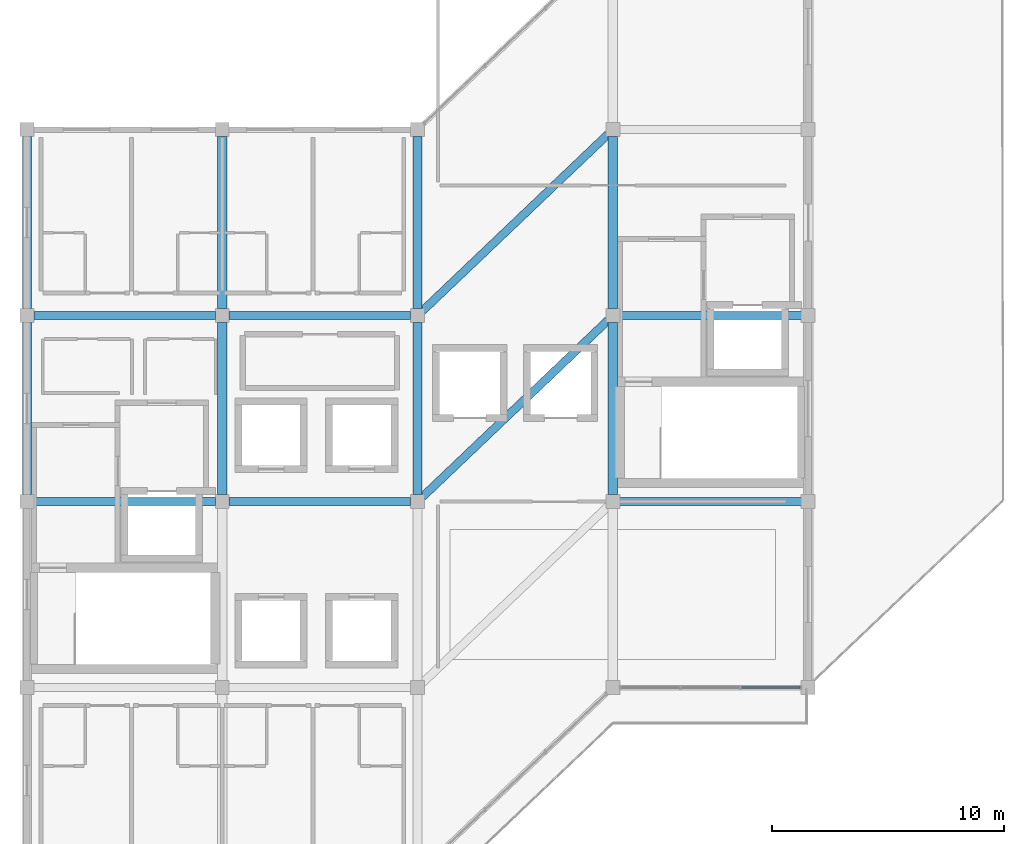
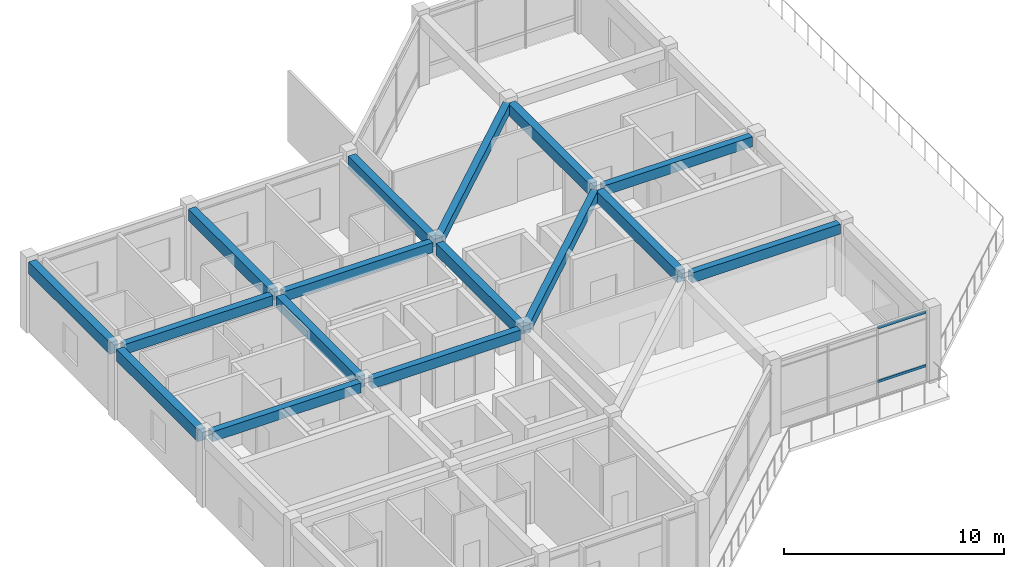
# One storey, part 3 of 11: 16 beams, 2 members, 1 element without a shape of its own.
"""IFC4 building model written with IfcOpenShell, lengths in metres."""

import ifcopenshell
import ifcopenshell.guid

model = None  # the IFC model being written
_history = None  # IfcOwnerHistory: only IFC2X3 demands one
_inside = {}  # id of a spatial element -> (the spatial element, [elements in it])
_under = {}  # id of a project, library or spatial element -> (it, [spatial elements below it])
_declared = {}  # id of a project -> (the project, [libraries it declares])
_typed = {}  # id of a type object -> (the type object, [elements of that type])
_made_of = {}  # id of a material, layer set ... -> (it, [elements and type objects made of it])


def new_model(schema):
    """Start an empty IFC model of exactly this schema.

    Asked for "IFC4X3", IfcOpenShell would pick the latest addendum, in which some entities
    have other attributes; the version numbers below select the first issue.
    IFC2X3 requires an IfcOwnerHistory on every rooted entity: one is made here for all.
    """
    global model, _history
    if schema == "IFC4X3":
        model = ifcopenshell.file(schema_version=(4, 3, 0, 0))
    else:
        model = ifcopenshell.file(schema=schema)
    _inside.clear()
    _under.clear()
    _declared.clear()
    _typed.clear()
    _made_of.clear()
    _history = None
    if model.schema == "IFC2X3":
        org = make("IfcOrganization", Name="unknown")
        user = make(
            "IfcPersonAndOrganization",
            ThePerson=make("IfcPerson", FamilyName="unknown"),
            TheOrganization=org,
        )
        app = make(
            "IfcApplication",
            ApplicationDeveloper=org,
            Version="unknown",
            ApplicationFullName="unknown",
            ApplicationIdentifier="unknown",
        )
        _history = make(
            "IfcOwnerHistory",
            OwningUser=user,
            OwningApplication=app,
            ChangeAction="ADDED",
            CreationDate=0,
        )
    return model


def make(cls, **values):
    """One entity of the class cls with the attributes given. An attribute that is None is left unset."""
    return model.create_entity(
        cls, **{name: value for name, value in values.items() if value is not None}
    )


def rooted(cls, **values):
    """An entity with a GlobalId (a new one), such as an element, a storey or a relation."""
    return make(cls, GlobalId=ifcopenshell.guid.new(), OwnerHistory=_history, **values)


def si_unit(unit_type, name, prefix=None):
    """IfcSIUnit, for example si_unit("LENGTHUNIT", "METRE", prefix="MILLI")."""
    return make("IfcSIUnit", UnitType=unit_type, Prefix=prefix, Name=name)


def assignment(units):
    """IfcUnitAssignment: the units of a project."""
    return None if units is None else make("IfcUnitAssignment", Units=units)


def point(xyz):
    """IfcCartesianPoint."""
    return None if xyz is None else make("IfcCartesianPoint", Coordinates=xyz)


def direction(xyz):
    """IfcDirection."""
    return None if xyz is None else make("IfcDirection", DirectionRatios=xyz)


def frame(location, z_axis=None, x_axis=None):
    """IfcAxis2Placement3D, a coordinate frame: its origin and axes. An axis left out is left unset."""
    return make(
        "IfcAxis2Placement3D",
        Location=point(location),
        Axis=direction(z_axis),
        RefDirection=direction(x_axis),
    )


def frame_2d(location, x_axis=None):
    """IfcAxis2Placement2D, a coordinate frame in the plane: its origin and x axis."""
    return make(
        "IfcAxis2Placement2D", Location=point(location), RefDirection=direction(x_axis)
    )


def origin():
    """The frame at (0, 0, 0) with its axes left unset."""
    return frame((0.0, 0.0, 0.0))


def origin_2d():
    """The frame at (0, 0) in the plane with its x axis left unset."""
    return frame_2d((0.0, 0.0))


def place(relative_to, where):
    """IfcLocalPlacement: puts the frame where relative to a parent placement (None: the world)."""
    return make(
        "IfcLocalPlacement", PlacementRelTo=relative_to, RelativePlacement=where
    )


def context(
    kind, dimensions, precision=None, world=None, true_north=None, identifier=None
):
    """IfcGeometricRepresentationContext, for example the 3D "Model" context."""
    return make(
        "IfcGeometricRepresentationContext",
        ContextIdentifier=identifier,
        ContextType=kind,
        CoordinateSpaceDimension=dimensions,
        Precision=precision,
        WorldCoordinateSystem=world,
        TrueNorth=true_north,
    )


def subcontext(parent, identifier, kind, view, scale=None):
    """IfcGeometricRepresentationSubContext, for example "Body" below "Model"."""
    return make(
        "IfcGeometricRepresentationSubContext",
        ContextIdentifier=identifier,
        ContextType=kind,
        ParentContext=parent,
        TargetScale=scale,
        TargetView=view,
    )


def project(units=None, contexts=None):
    """IfcProject with its units and contexts."""
    return rooted(
        "IfcProject",
        Name="project",
        RepresentationContexts=contexts,
        UnitsInContext=assignment(units),
    )


def spatial(cls, under=None, at=None, **own):
    """A site, building, storey or space (cls), placed at a placement, below another one or the project."""
    s = rooted(cls, ObjectPlacement=at, **own)
    if under is not None:
        _under.setdefault(under.id(), (under, []))[1].append(s)
    return s


def profile(cls, at=None, kind="AREA", **sizes):
    """A parametric profile (cls). Its sizes go by their IFC names, for example OverallWidth=200.0."""
    return make(cls, ProfileType=kind, Position=at, **sizes)


def rectangle(**sizes):
    """IfcRectangleProfileDef."""
    return profile("IfcRectangleProfileDef", **sizes)


def extrude(swept, where, along, depth):
    """IfcExtrudedAreaSolid: the profile swept, set in the frame where, extruded along a direction by depth."""
    return make(
        "IfcExtrudedAreaSolid",
        SweptArea=swept,
        Position=where,
        ExtrudedDirection=direction(along),
        Depth=depth,
    )


def shape(context_of_items, identifier, shape_type, items):
    """IfcShapeRepresentation: the items that make up one representation, for example the "Body"."""
    return make(
        "IfcShapeRepresentation",
        ContextOfItems=context_of_items,
        RepresentationIdentifier=identifier,
        RepresentationType=shape_type,
        Items=items,
    )


def material(Name=None, Category=None):
    """IfcMaterial."""
    return make("IfcMaterial", Name=Name, Category=Category)


def layer(
    of_material, thickness, ventilated=None, Name=None, Category=None, Priority=None
):
    """IfcMaterialLayer: one layer of a wall or slab, of a material (None: an air gap)."""
    return make(
        "IfcMaterialLayer",
        Material=of_material,
        LayerThickness=thickness,
        IsVentilated=ventilated,
        Name=Name,
        Category=Category,
        Priority=Priority,
    )


def layer_set(layers, Name=None):
    """IfcMaterialLayerSet."""
    return make("IfcMaterialLayerSet", MaterialLayers=layers, LayerSetName=Name)


def material_profile(
    of_material, cross_section, Name=None, Category=None, Priority=None
):
    """IfcMaterialProfile: a cross section and its material."""
    return make(
        "IfcMaterialProfile",
        Name=Name,
        Material=of_material,
        Profile=cross_section,
        Priority=Priority,
        Category=Category,
    )


def profile_set(profiles, Name=None, composite=None):
    """IfcMaterialProfileSet."""
    return make(
        "IfcMaterialProfileSet",
        Name=Name,
        MaterialProfiles=profiles,
        CompositeProfile=composite,
    )


def made_of(thing, what):
    """Note that an element or type object is made of a material, layer set ...; save() writes the relation."""
    if what is not None:
        _made_of.setdefault(what.id(), (what, []))[1].append(thing)
    return thing


def type_object(cls, material=None, **own):
    """A type object (cls), such as IfcWallType, which elements share."""
    return made_of(rooted(cls, **own), material)


def element(
    cls,
    number,
    at=None,
    inside=None,
    cuts=None,
    type_object=None,
    material=None,
    context=None,
    identifier="Body",
    shape_type=None,
    held_by="IfcProductDefinitionShape",
    body=None,
    shapes=None,
    **own,
):
    """One element of the class cls, such as IfcWall. Its Tag is "e" and its number.

    at: its placement. inside: the storey or other place that contains it. cuts: it is an
    opening in that element (IfcRelVoidsElement). A single representation is given by context,
    identifier, shape_type and body (its items); several are given by shapes. held_by: the class
    of the entity that holds the representations. save() writes the other relations.
    """
    e = rooted(cls, Tag="e%d" % number, ObjectPlacement=at, **own)
    if body is not None:
        shapes = [shape(context, identifier, shape_type, body)]
    if shapes is not None:
        e.Representation = make(held_by, Representations=shapes)
    if inside is not None:
        _inside.setdefault(inside.id(), (inside, []))[1].append(e)
    if cuts is not None:
        rooted(
            "IfcRelVoidsElement", RelatingBuildingElement=cuts, RelatedOpeningElement=e
        )
    if type_object is not None:
        _typed.setdefault(type_object.id(), (type_object, []))[1].append(e)
    return made_of(e, material)


def aggregate(whole, parts):
    """IfcRelAggregates: a whole, such as a stair, and the parts it consists of."""
    return rooted("IfcRelAggregates", RelatingObject=whole, RelatedObjects=parts)


def save(model, path):
    """Write the relations noted so far, then the file.

    IfcRelAggregates (storeys below a building ...), IfcRelContainedInSpatialStructure (elements
    in a storey), IfcRelDefinesByType, IfcRelAssociatesMaterial and IfcRelDeclares: one each for
    every whole, place, type object, material and project.
    """
    for whole, parts in _under.values():
        aggregate(whole, parts)
    for where, things in _inside.values():
        rooted(
            "IfcRelContainedInSpatialStructure",
            RelatedElements=things,
            RelatingStructure=where,
        )
    for kind, things in _typed.values():
        rooted("IfcRelDefinesByType", RelatedObjects=things, RelatingType=kind)
    for what, things in _made_of.values():
        rooted("IfcRelAssociatesMaterial", RelatedObjects=things, RelatingMaterial=what)
    for by, libraries in _declared.values():
        rooted("IfcRelDeclares", RelatingContext=by, RelatedDefinitions=libraries)
    model.write(path)


model = new_model("IFC4")

# Units and contexts
model_context = context("Model", 3, precision=1e-05, world=origin(), true_north=direction((0.0, 1.0)))
body_context = subcontext(model_context, "Body", "Model", "MODEL_VIEW")
ifc_project = project(units=[si_unit("LENGTHUNIT", "METRE"), si_unit("AREAUNIT", "SQUARE_METRE"), si_unit("VOLUMEUNIT", "CUBIC_METRE"), si_unit("PLANEANGLEUNIT", "RADIAN"), si_unit("MASSUNIT", "GRAM", prefix="KILO")], contexts=[model_context])

# Site, building, storey
site_placement = place(None, origin())
site = spatial("IfcSite", under=ifc_project, at=site_placement, CompositionType="ELEMENT")
building_placement = place(site_placement, origin())
building = spatial("IfcBuilding", under=site, at=building_placement, Name="Naruveol Harbour Congress Hotel", CompositionType="ELEMENT")
storey_placement = place(building_placement, frame((0.0, 0.0, 47.39990234375)))
storey = spatial("IfcBuildingStorey", under=building, at=storey_placement, Name="L11", CompositionType="ELEMENT", Elevation=47.39990234375)

# Beams
ifc_material_1 = material(Name="Concrete C40/50", Category="concrete")
ifc_material_profile_1 = material_profile(ifc_material_1, rectangle(XDim=0.39990234375, YDim=0.64990234375, at=origin_2d()), Name="RCB-400x650")
ifc_profile_set_1 = profile_set([ifc_material_profile_1], Name="Concrete C40/50")
beam_type_1 = type_object("IfcBeamType", Name="RC HOTEL BEAM 400X650", PredefinedType="BEAM", material=ifc_profile_set_1)
for number, where, z_axis, x_axis, name in (
    (1, (126.0, 16.2958984375, 3.614990234375), (0.0, 1.0, 0.0), (-1.0, 0.0, 0.0), "Hotel transverse beam RF CB4"),
    (2, (126.0, 24.2958984375, 3.614990234375), (0.0, 1.0, 0.0), (-1.0, 0.0, 0.0), "Hotel transverse beam RF CB4"),
    (3, (134.39990234375, 16.2958984375, 3.614990234375), (0.0, 1.0, 0.0), (-1.0, 0.0, 0.0), "Hotel transverse beam RF CB4"),
    (4, (134.39990234375, 24.2958984375, 3.614990234375), (0.0, 1.0, 0.0), (-1.0, 0.0, 0.0), "Hotel transverse beam RF CB4"),
    (5, (142.800048828125, 16.2958984375, 3.614990234375), (0.0, 1.0, 0.0), (-1.0, 0.0, 0.0), "Hotel transverse beam RF CB4"),
    (6, (142.800048828125, 24.2958984375, 3.614990234375), (0.0, 1.0, 0.0), (-1.0, 0.0, 0.0), "Hotel transverse beam RF CB4"),
    (7, (151.199951171875, 16.2958984375, 3.614990234375), (0.0, 1.0, 0.0), (-1.0, 0.0, 0.0), "Hotel transverse beam RF CB4"),
    (8, (151.199951171875, 24.2958984375, 3.614990234375), (0.0, 1.0, 0.0), (-1.0, 0.0, 0.0), "Hotel transverse beam RF CB4"),
):
    element("IfcBeam", number, at=place(storey_placement, frame(where, z_axis=z_axis, x_axis=x_axis)), inside=storey, type_object=beam_type_1, Name=name, PredefinedType="BEAM", context=body_context, shape_type="SweptSolid", body=[
        extrude(rectangle(XDim=0.39990234375, YDim=0.64990234375, at=origin_2d()), origin(), (0.0, 0.0, 1.0), 7.408203125),
    ])
ifc_material_2 = material(Name="Concrete C40/50", Category="concrete")
ifc_material_profile_2 = material_profile(ifc_material_2, rectangle(XDim=0.35009765625, YDim=0.550048828125, at=origin_2d()), Name="RCB-350x550")
ifc_profile_set_2 = profile_set([ifc_material_profile_2], Name="Concrete C40/50")
beam_type_2 = type_object("IfcBeamType", Name="RC SECONDARY BEAM 350X550", PredefinedType="JOIST", material=ifc_profile_set_2)
for number, where, z_axis, x_axis, name in (
    (9, (126.2958984375, 16.0, 3.6650390625), (1.0, 0.0, 0.0), (0.0, 1.0, 0.0), "Hotel chord beam RF CJ1"),
    (10, (126.2958984375, 24.0, 3.6650390625), (1.0, 0.0, 0.0), (0.0, 1.0, 0.0), "Hotel chord beam RF CJ1"),
):
    element("IfcBeam", number, at=place(storey_placement, frame(where, z_axis=z_axis, x_axis=x_axis)), inside=storey, type_object=beam_type_2, Name=name, PredefinedType="JOIST", context=body_context, shape_type="SweptSolid", body=[
        extrude(rectangle(XDim=0.35009765625, YDim=0.550048828125, at=origin_2d()), origin(), (0.0, 0.0, 1.0), 7.80810546875),
    ])
for number, where, z_axis, x_axis, name in (
    (11, (134.696044921875, 16.0, 3.6650390625), (1.0, 0.0, 0.0), (0.0, 1.0, 0.0), "Hotel chord beam RF CJ1"),
    (12, (134.696044921875, 24.0, 3.6650390625), (1.0, 0.0, 0.0), (0.0, 1.0, 0.0), "Hotel chord beam RF CJ1"),
):
    element("IfcBeam", number, at=place(storey_placement, frame(where, z_axis=z_axis, x_axis=x_axis)), inside=storey, type_object=beam_type_2, Name=name, PredefinedType="JOIST", context=body_context, shape_type="SweptSolid", body=[
        extrude(rectangle(XDim=0.35009765625, YDim=0.550048828125, at=origin_2d()), origin(), (0.0, 0.0, 1.0), 7.807861328125),
    ])
for number, where, z_axis, x_axis, name in (
    (13, (143.014404296875, 16.2041015625, 3.6650390625), (0.724129492057, 0.689664033231, 0.0), (-0.689664033231, 0.724129492057, 0.0), "Hotel chord beam RF CJ1"),
    (14, (143.014404296875, 24.2041015625, 3.6650390625), (0.724129492057, 0.689664033231, 0.0), (-0.689664033231, 0.724129492057, 0.0), "Hotel chord beam RF CJ1"),
):
    element("IfcBeam", number, at=place(storey_placement, frame(where, z_axis=z_axis, x_axis=x_axis)), inside=storey, type_object=beam_type_2, Name=name, PredefinedType="JOIST", context=body_context, shape_type="SweptSolid", body=[
        extrude(rectangle(XDim=0.35009765625, YDim=0.550048828125, at=origin_2d()), origin(), (0.0, 0.0, 1.0), 11.008056640625),
    ])
for number, where, z_axis, x_axis, name in (
    (15, (151.49609375, 16.0, 3.6650390625), (1.0, 0.0, 0.0), (0.0, 1.0, 0.0), "Hotel chord beam RF CJ1"),
    (16, (151.49609375, 24.0, 3.6650390625), (1.0, 0.0, 0.0), (0.0, 1.0, 0.0), "Hotel chord beam RF CJ1"),
):
    element("IfcBeam", number, at=place(storey_placement, frame(where, z_axis=z_axis, x_axis=x_axis)), inside=storey, type_object=beam_type_2, Name=name, PredefinedType="JOIST", context=body_context, shape_type="SweptSolid", body=[
        extrude(rectangle(XDim=0.35009765625, YDim=0.550048828125, at=origin_2d()), origin(), (0.0, 0.0, 1.0), 7.807861328125),
    ])

# Curtain wall, members
ifc_material_3 = material(Name="Low-E Curtain Wall System", Category="glass")
ifc_layer = layer(ifc_material_3, 0.179931640625)
ifc_layer_set = layer_set([ifc_layer], Name="Low-E Curtain Wall System")
curtain_wall_type = type_object("IfcCurtainWallType", Name="UNITISED CURTAIN WALL CW-V5CR-56 7800X3920", PredefinedType="USERDEFINED", material=ifc_layer_set)
curtain_wall_placement = place(storey_placement, origin())
curtain_wall = element("IfcCurtainWall", 17, at=curtain_wall_placement, inside=storey, type_object=curtain_wall_type, Name="Unitised curtain wall CW-V5CR-56 L11", ObjectType="UNITISED GLAZING", PredefinedType="USERDEFINED")
ifc_material_4 = material(Name="Anodised Aluminium 6063-T6", Category="aluminium")
ifc_material_profile_3 = material_profile(ifc_material_4, rectangle(XDim=0.074951171875, YDim=0.14990234375, at=origin_2d()), Name="ALU-75x150")
ifc_profile_set_3 = profile_set([ifc_material_profile_3], Name="Anodised Aluminium 6063-T6")
member_type = type_object("IfcMemberType", Name="THERMAL ALUMINIUM TRANSOM 75X150", PredefinedType="USERDEFINED", material=ifc_profile_set_3)
member_1_placement = place(storey_placement, frame((159.260009765625, 8.0, 0.85009765625), z_axis=(-1.0, 0.0, 0.0), x_axis=(0.0, -1.0, 0.0)))
member_1 = element("IfcMember", 18, at=member_1_placement, type_object=member_type, Name="Curtain wall transom CW-L11-0153-T0.1", ObjectType="TRANSOM", PredefinedType="USERDEFINED", context=body_context, shape_type="SweptSolid", body=[
    extrude(rectangle(XDim=0.074951171875, YDim=0.14990234375, at=origin_2d()), origin(), (0.0, 0.0, 1.0), 2.52001953125),
])
member_2_placement = place(storey_placement, frame((159.260009765625, 8.0, 3.840087890625), z_axis=(-1.0, 0.0, 0.0), x_axis=(0.0, -1.0, 0.0)))
member_2 = element("IfcMember", 19, at=member_2_placement, type_object=member_type, Name="Curtain wall transom CW-L11-0153-T0.2", ObjectType="TRANSOM", PredefinedType="USERDEFINED", context=body_context, shape_type="SweptSolid", body=[
    extrude(rectangle(XDim=0.074951171875, YDim=0.14990234375, at=origin_2d()), origin(), (0.0, 0.0, 1.0), 2.52001953125),
])
aggregate(curtain_wall, [member_1, member_2])

save(model, "model.ifc")
